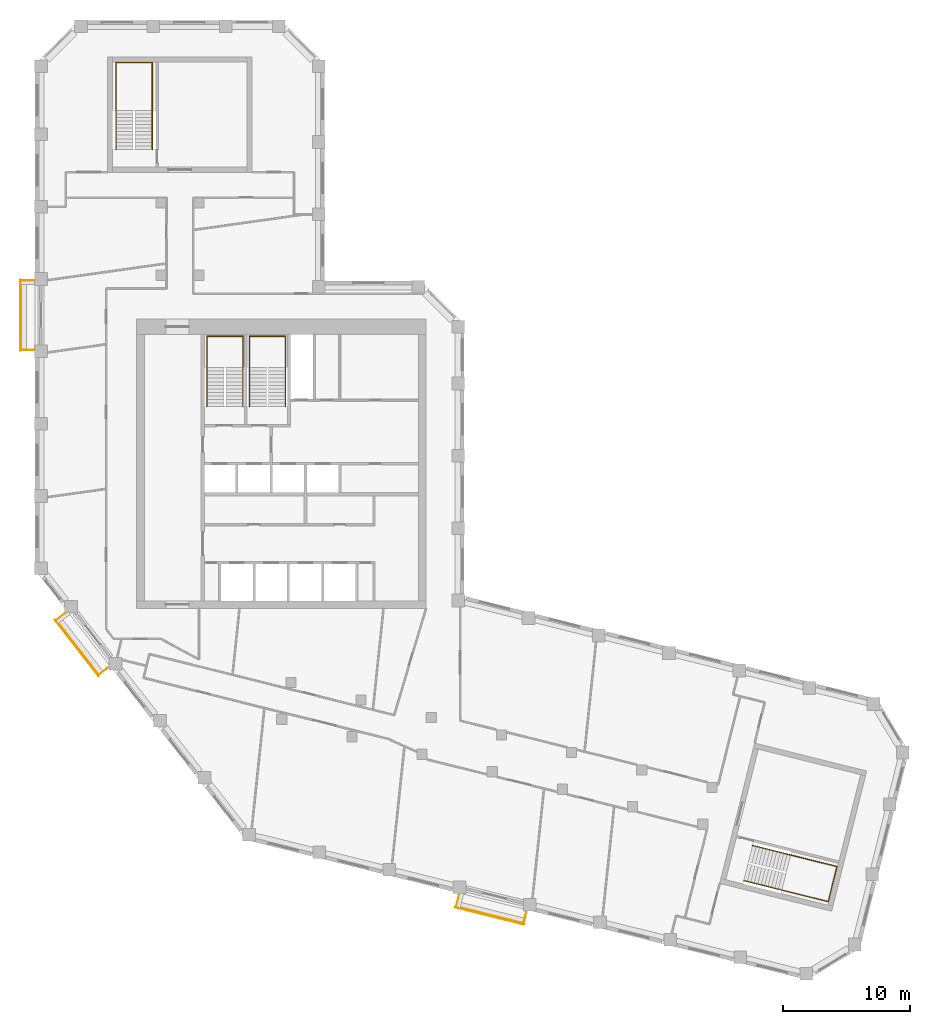
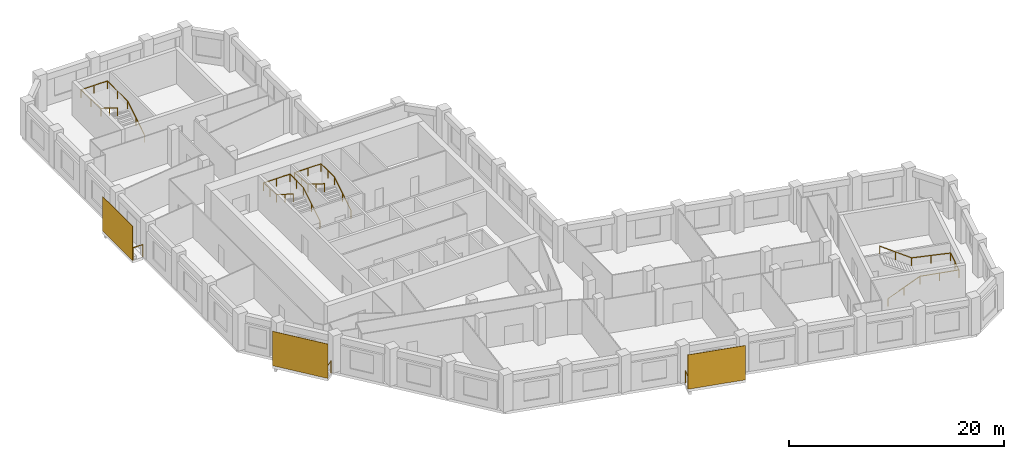
# One storey, part 9 of 9: 7 railings, 3 shading devices.
"""IFC4 building model written with IfcOpenShell, lengths in metres."""

from ifc_helpers import new_model, si_unit, direction, frame, origin, origin_2d, place, context, subcontext, project, spatial, rectangle, circle, extrude, material, layer, layer_set, type_object, element, save


model = new_model("IFC4")

# Units and contexts
model_context = context("Model", 3, precision=1e-05, world=origin(), true_north=direction((0.0, 1.0)))
body_context = subcontext(model_context, "Body", "Model", "MODEL_VIEW")
ifc_project = project(units=[si_unit("LENGTHUNIT", "METRE"), si_unit("AREAUNIT", "SQUARE_METRE"), si_unit("VOLUMEUNIT", "CUBIC_METRE"), si_unit("PLANEANGLEUNIT", "RADIAN"), si_unit("MASSUNIT", "GRAM", prefix="KILO")], contexts=[model_context])

# Site, building, storey
site_placement = place(None, origin())
site = spatial("IfcSite", under=ifc_project, at=site_placement, CompositionType="ELEMENT")
building_placement = place(site_placement, origin())
building = spatial("IfcBuilding", under=site, at=building_placement, Name="Meshkara Civic Tower", CompositionType="ELEMENT")
storey_placement = place(building_placement, frame((0.0, 0.0, 319.199951171875)))
storey = spatial("IfcBuildingStorey", under=building, at=storey_placement, Name="L73", CompositionType="ELEMENT", Elevation=319.199951171875)

# Railings
ifc_material_1 = material(Name="Steel S355", Category="steel")
railing_type_1 = type_object("IfcRailingType", Name="BALUSTRADE GUARD 1400", PredefinedType="BALUSTRADE", material=ifc_material_1)
railing_1_placement = place(storey_placement, frame((-0.050048828125, 39.93505859375, 0.0)))
element("IfcRailing", 1, at=railing_1_placement, inside=storey, type_object=railing_type_1, Name="Balcony guard", PredefinedType="BALUSTRADE", context=body_context, shape_type="SweptSolid", body=[
    extrude(circle(Radius=0.02392578125, at=origin_2d()), frame((0.0, 0.0, 1.3759765625), z_axis=(-1.0, 0.0, 0.0), x_axis=(0.0, -1.0, 0.0)), (0.0, 0.0, 1.0), 1.06005859375),
    extrude(circle(Radius=0.02392578125, at=origin_2d()), frame((-1.06005859375, 0.0, 1.3759765625), z_axis=(0.0, -1.0, 0.0), x_axis=(1.0, 0.0, 0.0)), (0.0, 0.0, 1.0), 5.4599609375),
    extrude(circle(Radius=0.02392578125, at=origin_2d()), frame((-1.06005859375, -5.4599609375, 1.3759765625), z_axis=(1.0, 0.0, 0.0), x_axis=(0.0, 1.0, 0.0)), (0.0, 0.0, 1.0), 1.06005859375),
    extrude(circle(Radius=0.02099609375, at=origin_2d()), origin(), (0.0, 0.0, 1.0), 1.351806640625),
    extrude(circle(Radius=0.02099609375, at=origin_2d()), frame((-1.06005859375, 0.0, 0.0)), (0.0, 0.0, 1.0), 1.351806640625),
    extrude(circle(Radius=0.02099609375, at=origin_2d()), frame((-1.06005859375, -1.092041015625, 0.0)), (0.0, 0.0, 1.0), 1.351806640625),
    extrude(circle(Radius=0.02099609375, at=origin_2d()), frame((-1.06005859375, -2.18408203125, 0.0)), (0.0, 0.0, 1.0), 1.351806640625),
    extrude(circle(Radius=0.02099609375, at=origin_2d()), frame((-1.06005859375, -3.27587890625, 0.0)), (0.0, 0.0, 1.0), 1.351806640625),
    extrude(circle(Radius=0.02099609375, at=origin_2d()), frame((-1.06005859375, -4.367919921875, 0.0)), (0.0, 0.0, 1.0), 1.351806640625),
    extrude(circle(Radius=0.02099609375, at=origin_2d()), frame((-1.06005859375, -5.4599609375, 0.0)), (0.0, 0.0, 1.0), 1.351806640625),
    extrude(circle(Radius=0.02099609375, at=origin_2d()), frame((0.0, -5.4599609375, 0.0)), (0.0, 0.0, 1.0), 1.351806640625),
])
railing_2_placement = place(storey_placement, frame((2.3349609375, 13.701904296875, 0.0)))
element("IfcRailing", 2, at=railing_2_placement, inside=storey, type_object=railing_type_1, Name="Balcony guard", PredefinedType="BALUSTRADE", context=body_context, shape_type="SweptSolid", body=[
    extrude(circle(Radius=0.02392578125, at=origin_2d()), frame((0.0, 0.0, 1.3759765625), z_axis=(-0.788201277662, -0.615417537849, 0.0), x_axis=(0.615417537849, -0.788201277662, 0.0)), (0.0, 0.0, 1.0), 0.857666015625),
    extrude(circle(Radius=0.02392578125, at=origin_2d()), frame((-0.676025390625, -0.52783203125, 1.3759765625), z_axis=(0.615573755741, -0.788079279795, 0.0), x_axis=(0.788079279795, 0.615573755741, 0.0)), (0.0, 0.0, 1.0), 5.460205078125),
    extrude(circle(Radius=0.02392578125, at=origin_2d()), frame((2.68505859375, -4.830810546875, 1.3759765625), z_axis=(0.787649039858, 0.616124167689, 0.0), x_axis=(-0.616124167689, 0.787649039858, 0.0)), (0.0, 0.0, 1.0), 0.8583984375),
    extrude(circle(Radius=0.02099609375, at=origin_2d()), origin(), (0.0, 0.0, 1.0), 1.351806640625),
    extrude(circle(Radius=0.02099609375, at=origin_2d()), frame((-0.676025390625, -0.52783203125, 0.0)), (0.0, 0.0, 1.0), 1.351806640625),
    extrude(circle(Radius=0.02099609375, at=origin_2d()), frame((-0.00390625, -1.388427734375, 0.0)), (0.0, 0.0, 1.0), 1.351806640625),
    extrude(circle(Radius=0.02099609375, at=origin_2d()), frame((0.66845703125, -2.2490234375, 0.0)), (0.0, 0.0, 1.0), 1.351806640625),
    extrude(circle(Radius=0.02099609375, at=origin_2d()), frame((1.340576171875, -3.109619140625, 0.0)), (0.0, 0.0, 1.0), 1.351806640625),
    extrude(circle(Radius=0.02099609375, at=origin_2d()), frame((2.012939453125, -3.97021484375, 0.0)), (0.0, 0.0, 1.0), 1.351806640625),
    extrude(circle(Radius=0.02099609375, at=origin_2d()), frame((2.68505859375, -4.830810546875, 0.0)), (0.0, 0.0, 1.0), 1.351806640625),
    extrude(circle(Radius=0.02099609375, at=origin_2d()), frame((3.361083984375, -4.302001953125, 0.0)), (0.0, 0.0, 1.0), 1.351806640625),
])
railing_3_placement = place(storey_placement, frame((33.4130859375, -8.491943359375, 0.0)))
element("IfcRailing", 3, at=railing_3_placement, inside=storey, type_object=railing_type_1, Name="Balcony guard", PredefinedType="BALUSTRADE", context=body_context, shape_type="SweptSolid", body=[
    extrude(circle(Radius=0.02392578125, at=origin_2d()), frame((0.0, 0.0, 1.3759765625), z_axis=(-0.242475378497, -0.970157559793, 0.0), x_axis=(0.970157559793, -0.242475378497, 0.0)), (0.0, 0.0, 1.0), 0.95361328125),
    extrude(circle(Radius=0.02392578125, at=origin_2d()), frame((-0.231201171875, -0.925048828125, 1.3759765625), z_axis=(0.970292231073, -0.24193591366, 0.0), x_axis=(0.24193591366, 0.970292231073, 0.0)), (0.0, 0.0, 1.0), 5.460205078125),
    extrude(circle(Radius=0.02392578125, at=origin_2d()), frame((5.06689453125, -2.24609375, 1.3759765625), z_axis=(0.242234364289, 0.970217765637, 0.0), x_axis=(-0.970217765637, 0.242234364289, 0.0)), (0.0, 0.0, 1.0), 0.953369140625),
    extrude(circle(Radius=0.02099609375, at=origin_2d()), origin(), (0.0, 0.0, 1.0), 1.351806640625),
    extrude(circle(Radius=0.02099609375, at=origin_2d()), frame((-0.231201171875, -0.925048828125, 0.0)), (0.0, 0.0, 1.0), 1.351806640625),
    extrude(circle(Radius=0.02099609375, at=origin_2d()), frame((0.828369140625, -1.189208984375, 0.0)), (0.0, 0.0, 1.0), 1.351806640625),
    extrude(circle(Radius=0.02099609375, at=origin_2d()), frame((1.887939453125, -1.453369140625, 0.0)), (0.0, 0.0, 1.0), 1.351806640625),
    extrude(circle(Radius=0.02099609375, at=origin_2d()), frame((2.94775390625, -1.7177734375, 0.0)), (0.0, 0.0, 1.0), 1.351806640625),
    extrude(circle(Radius=0.02099609375, at=origin_2d()), frame((4.00732421875, -1.98193359375, 0.0)), (0.0, 0.0, 1.0), 1.351806640625),
    extrude(circle(Radius=0.02099609375, at=origin_2d()), frame((5.06689453125, -2.24609375, 0.0)), (0.0, 0.0, 1.0), 1.351806640625),
    extrude(circle(Radius=0.02099609375, at=origin_2d()), frame((5.2978515625, -1.321044921875, 0.0)), (0.0, 0.0, 1.0), 1.351806640625),
])

# Shading devices
ifc_material_2 = material(Name="Perforated bronze anodised aluminium sheet", Category="aluminium")
ifc_layer = layer(ifc_material_2, 0.0400390625)
ifc_layer_set = layer_set([ifc_layer], Name="PERFORATED BRONZE SCREEN")
shading_device_type = type_object("IfcShadingDeviceType", Name="PERFORATED BRONZE SCREEN", PredefinedType="USERDEFINED", material=ifc_layer_set)
for number, where, z_axis, x_axis, name in (
    (4, (-1.179931640625, 37.205078125, 0.0), (0.0, 0.0, 1.0), (0.0, -1.0, 0.0), "Balcony screen"),
    (5, (3.283935546875, 10.97998046875, 0.0), (0.0, 0.0, 1.0), (0.615661475326, -0.788010753607, 0.0), "Balcony screen"),
    (6, (35.81396484375, -10.14599609375, 0.0), (0.0, 0.0, 1.0), (0.970295726276, -0.2419218956, 0.0), "Balcony screen"),
):
    element("IfcShadingDevice", number, at=place(storey_placement, frame(where, z_axis=z_axis, x_axis=x_axis)), inside=storey, type_object=shading_device_type, Name=name, ObjectType="SCREEN", PredefinedType="USERDEFINED", context=body_context, shape_type="SweptSolid", body=[
        extrude(rectangle(XDim=5.580078125, YDim=0.0400390625, at=origin_2d()), origin(), (0.0, 0.0, 1.0), 3.89990234375),
    ])

# Railings
ifc_material_3 = material(Name="Steel handrail", Category="steel")
railing_type_2 = type_object("IfcRailingType", Name="Stair handrail 900", PredefinedType="HANDRAIL", material=ifc_material_3)
railing_4_placement = place(storey_placement, frame((16.375, 30.0, 0.175048828125)))
element("IfcRailing", 7, at=railing_4_placement, inside=storey, type_object=railing_type_2, Name="L73 ST1 stair handrail 1", PredefinedType="HANDRAIL", context=body_context, shape_type="SweptSolid", body=[
    extrude(circle(Radius=0.02392578125, at=origin_2d()), frame((0.0, 0.0, 0.8759765625), z_axis=(0.0, 0.847998304005, 0.529998940003), x_axis=(-1.0, 0.0, 0.0)), (0.0, 0.0, 1.0), 3.632080078125),
    extrude(circle(Radius=0.02392578125, at=origin_2d()), frame((0.0, 3.080078125, 2.80078125), z_axis=(0.0, 1.0, 0.0), x_axis=(-1.0, 0.0, 0.0)), (0.0, 0.0, 1.0), 2.469970703125),
    extrude(circle(Radius=0.02392578125, at=origin_2d()), frame((0.0, 5.550048828125, 2.80078125), z_axis=(-1.0, 0.0, 0.0), x_axis=(0.0, -1.0, 0.0)), (0.0, 0.0, 1.0), 2.85009765625),
    extrude(circle(Radius=0.02392578125, at=origin_2d()), frame((-2.85009765625, 5.550048828125, 2.80078125), z_axis=(0.0, -0.997498084828, 0.070693498747), x_axis=(1.0, 0.0, 0.0)), (0.0, 0.0, 1.0), 2.47607421875),
    extrude(circle(Radius=0.02392578125, at=origin_2d()), frame((-2.85009765625, 3.080078125, 2.97607421875), z_axis=(0.0, -0.848028513186, 0.529950602248), x_axis=(1.0, 0.0, 0.0)), (0.0, 0.0, 1.0), 3.632080078125),
    extrude(circle(Radius=0.02099609375, at=origin_2d()), origin(), (0.0, 0.0, 1.0), 0.851806640625),
    extrude(circle(Radius=0.02099609375, at=origin_2d()), frame((0.0, 1.5400390625, 0.96240234375)), (0.0, 0.0, 1.0), 0.851806640625),
    extrude(circle(Radius=0.02099609375, at=origin_2d()), frame((0.0, 3.080078125, 1.925048828125)), (0.0, 0.0, 1.0), 0.851806640625),
    extrude(circle(Radius=0.02099609375, at=origin_2d()), frame((0.0, 4.31494140625, 1.925048828125)), (0.0, 0.0, 1.0), 0.851806640625),
    extrude(circle(Radius=0.02099609375, at=origin_2d()), frame((0.0, 5.550048828125, 1.925048828125)), (0.0, 0.0, 1.0), 0.851806640625),
    extrude(circle(Radius=0.02099609375, at=origin_2d()), frame((-1.425048828125, 5.550048828125, 1.925048828125)), (0.0, 0.0, 1.0), 0.851806640625),
    extrude(circle(Radius=0.02099609375, at=origin_2d()), frame((-2.85009765625, 5.550048828125, 1.925048828125)), (0.0, 0.0, 1.0), 0.851806640625),
    extrude(circle(Radius=0.02099609375, at=origin_2d()), frame((-2.85009765625, 4.31494140625, 2.0126953125)), (0.0, 0.0, 1.0), 0.851806640625),
    extrude(circle(Radius=0.02099609375, at=origin_2d()), frame((-2.85009765625, 3.080078125, 2.10009765625)), (0.0, 0.0, 1.0), 0.851806640625),
    extrude(circle(Radius=0.02099609375, at=origin_2d()), frame((-2.85009765625, 1.5400390625, 3.0625)), (0.0, 0.0, 1.0), 0.851806640625),
    extrude(circle(Radius=0.02099609375, at=origin_2d()), frame((-2.85009765625, 0.0, 4.02490234375)), (0.0, 0.0, 1.0), 0.851806640625),
])
railing_5_placement = place(storey_placement, frame((19.72509765625, 30.0, 0.175048828125)))
element("IfcRailing", 8, at=railing_5_placement, inside=storey, type_object=railing_type_2, Name="L73 ST2 stair handrail 1", PredefinedType="HANDRAIL", context=body_context, shape_type="SweptSolid", body=[
    extrude(circle(Radius=0.02392578125, at=origin_2d()), frame((0.0, 0.0, 0.8759765625), z_axis=(0.0, 0.847998304005, 0.529998940003), x_axis=(-1.0, 0.0, 0.0)), (0.0, 0.0, 1.0), 3.632080078125),
    extrude(circle(Radius=0.02392578125, at=origin_2d()), frame((0.0, 3.080078125, 2.80078125), z_axis=(0.0, 1.0, 0.0), x_axis=(-1.0, 0.0, 0.0)), (0.0, 0.0, 1.0), 2.469970703125),
    extrude(circle(Radius=0.02392578125, at=origin_2d()), frame((0.0, 5.550048828125, 2.80078125), z_axis=(-1.0, 0.0, 0.0), x_axis=(0.0, -1.0, 0.0)), (0.0, 0.0, 1.0), 2.85009765625),
    extrude(circle(Radius=0.02392578125, at=origin_2d()), frame((-2.85009765625, 5.550048828125, 2.80078125), z_axis=(0.0, -0.997498084828, 0.070693498747), x_axis=(1.0, 0.0, 0.0)), (0.0, 0.0, 1.0), 2.47607421875),
    extrude(circle(Radius=0.02392578125, at=origin_2d()), frame((-2.85009765625, 3.080078125, 2.97607421875), z_axis=(0.0, -0.848028513186, 0.529950602248), x_axis=(1.0, 0.0, 0.0)), (0.0, 0.0, 1.0), 3.632080078125),
    extrude(circle(Radius=0.02099609375, at=origin_2d()), origin(), (0.0, 0.0, 1.0), 0.851806640625),
    extrude(circle(Radius=0.02099609375, at=origin_2d()), frame((0.0, 1.5400390625, 0.96240234375)), (0.0, 0.0, 1.0), 0.851806640625),
    extrude(circle(Radius=0.02099609375, at=origin_2d()), frame((0.0, 3.080078125, 1.925048828125)), (0.0, 0.0, 1.0), 0.851806640625),
    extrude(circle(Radius=0.02099609375, at=origin_2d()), frame((0.0, 4.31494140625, 1.925048828125)), (0.0, 0.0, 1.0), 0.851806640625),
    extrude(circle(Radius=0.02099609375, at=origin_2d()), frame((0.0, 5.550048828125, 1.925048828125)), (0.0, 0.0, 1.0), 0.851806640625),
    extrude(circle(Radius=0.02099609375, at=origin_2d()), frame((-1.425048828125, 5.550048828125, 1.925048828125)), (0.0, 0.0, 1.0), 0.851806640625),
    extrude(circle(Radius=0.02099609375, at=origin_2d()), frame((-2.85009765625, 5.550048828125, 1.925048828125)), (0.0, 0.0, 1.0), 0.851806640625),
    extrude(circle(Radius=0.02099609375, at=origin_2d()), frame((-2.85009765625, 4.31494140625, 2.0126953125)), (0.0, 0.0, 1.0), 0.851806640625),
    extrude(circle(Radius=0.02099609375, at=origin_2d()), frame((-2.85009765625, 3.080078125, 2.10009765625)), (0.0, 0.0, 1.0), 0.851806640625),
    extrude(circle(Radius=0.02099609375, at=origin_2d()), frame((-2.85009765625, 1.5400390625, 3.0625)), (0.0, 0.0, 1.0), 0.851806640625),
    extrude(circle(Radius=0.02099609375, at=origin_2d()), frame((-2.85009765625, 0.0, 4.02490234375)), (0.0, 0.0, 1.0), 0.851806640625),
])
railing_6_placement = place(storey_placement, frame((9.22509765625, 50.27001953125, 0.175048828125)))
element("IfcRailing", 9, at=railing_6_placement, inside=storey, type_object=railing_type_2, Name="L73 ESA5 stair handrail 1", PredefinedType="HANDRAIL", context=body_context, shape_type="SweptSolid", body=[
    extrude(circle(Radius=0.02392578125, at=origin_2d()), frame((0.0, 0.0, 0.8759765625), z_axis=(0.0, 0.847998304005, 0.529998940003), x_axis=(-1.0, 0.0, 0.0)), (0.0, 0.0, 1.0), 3.632080078125),
    extrude(circle(Radius=0.02392578125, at=origin_2d()), frame((0.0, 3.080078125, 2.80078125), z_axis=(0.0, 1.0, 0.0), x_axis=(-1.0, 0.0, 0.0)), (0.0, 0.0, 1.0), 3.77001953125),
    extrude(circle(Radius=0.02392578125, at=origin_2d()), frame((0.0, 6.85009765625, 2.80078125), z_axis=(-1.0, 0.0, 0.0), x_axis=(0.0, -1.0, 0.0)), (0.0, 0.0, 1.0), 2.85009765625),
    extrude(circle(Radius=0.02392578125, at=origin_2d()), frame((-2.85009765625, 6.85009765625, 2.80078125), z_axis=(0.0, -0.9989237834, 0.046381838667), x_axis=(1.0, 0.0, 0.0)), (0.0, 0.0, 1.0), 3.774169921875),
    extrude(circle(Radius=0.02392578125, at=origin_2d()), frame((-2.85009765625, 3.080078125, 2.97607421875), z_axis=(0.0, -0.848028513186, 0.529950602248), x_axis=(1.0, 0.0, 0.0)), (0.0, 0.0, 1.0), 3.632080078125),
    extrude(circle(Radius=0.02099609375, at=origin_2d()), origin(), (0.0, 0.0, 1.0), 0.851806640625),
    extrude(circle(Radius=0.02099609375, at=origin_2d()), frame((0.0, 1.5400390625, 0.96240234375)), (0.0, 0.0, 1.0), 0.851806640625),
    extrude(circle(Radius=0.02099609375, at=origin_2d()), frame((0.0, 3.080078125, 1.925048828125)), (0.0, 0.0, 1.0), 0.851806640625),
    extrude(circle(Radius=0.02099609375, at=origin_2d()), frame((0.0, 4.965087890625, 1.925048828125)), (0.0, 0.0, 1.0), 0.851806640625),
    extrude(circle(Radius=0.02099609375, at=origin_2d()), frame((0.0, 6.85009765625, 1.925048828125)), (0.0, 0.0, 1.0), 0.851806640625),
    extrude(circle(Radius=0.02099609375, at=origin_2d()), frame((-1.425048828125, 6.85009765625, 1.925048828125)), (0.0, 0.0, 1.0), 0.851806640625),
    extrude(circle(Radius=0.02099609375, at=origin_2d()), frame((-2.85009765625, 6.85009765625, 1.925048828125)), (0.0, 0.0, 1.0), 0.851806640625),
    extrude(circle(Radius=0.02099609375, at=origin_2d()), frame((-2.85009765625, 4.965087890625, 2.0126953125)), (0.0, 0.0, 1.0), 0.851806640625),
    extrude(circle(Radius=0.02099609375, at=origin_2d()), frame((-2.85009765625, 3.080078125, 2.10009765625)), (0.0, 0.0, 1.0), 0.851806640625),
    extrude(circle(Radius=0.02099609375, at=origin_2d()), frame((-2.85009765625, 1.5400390625, 3.0625)), (0.0, 0.0, 1.0), 0.851806640625),
    extrude(circle(Radius=0.02099609375, at=origin_2d()), frame((-2.85009765625, 0.0, 4.02490234375)), (0.0, 0.0, 1.0), 0.851806640625),
])
railing_7_placement = place(storey_placement, frame((55.849365234375, -7.3544921875, 0.175048828125)))
element("IfcRailing", 10, at=railing_7_placement, inside=storey, type_object=railing_type_2, Name="L73 ESB5 stair handrail 1", PredefinedType="HANDRAIL", context=body_context, shape_type="SweptSolid", body=[
    extrude(circle(Radius=0.02392578125, at=origin_2d()), frame((0.0, 0.0, 0.8759765625), z_axis=(0.822781968105, -0.205275396666, 0.529992306062), x_axis=(0.242069343812, 0.970258951408, 0.0)), (0.0, 0.0, 1.0), 3.63232421875),
    extrude(circle(Radius=0.02392578125, at=origin_2d()), frame((2.988525390625, -0.74560546875, 2.80078125), z_axis=(0.970256677427, -0.242078458165, 0.0), x_axis=(0.242078458165, 0.970256677427, 0.0)), (0.0, 0.0, 1.0), 3.769775390625),
    extrude(circle(Radius=0.02392578125, at=origin_2d()), frame((6.646240234375, -1.658203125, 2.80078125), z_axis=(0.242072031574, 0.970258280835, 0.0), x_axis=(-0.970258280835, 0.242072031574, 0.0)), (0.0, 0.0, 1.0), 2.85009765625),
    extrude(circle(Radius=0.02392578125, at=origin_2d()), frame((7.336181640625, 1.107177734375, 2.80078125), z_axis=(-0.969216294885, 0.241802743795, 0.046381104147), x_axis=(-0.242063248025, -0.970260472221, 0.0)), (0.0, 0.0, 1.0), 3.774169921875),
    extrude(circle(Radius=0.02392578125, at=origin_2d()), frame((3.67822265625, 2.019775390625, 2.97607421875), z_axis=(-0.822800919371, 0.205229673761, 0.529980592183), x_axis=(-0.242013336109, -0.97027292302, 0.0)), (0.0, 0.0, 1.0), 3.6318359375),
    extrude(circle(Radius=0.02099609375, at=origin_2d()), origin(), (0.0, 0.0, 1.0), 0.851806640625),
    extrude(circle(Radius=0.02099609375, at=origin_2d()), frame((1.494140625, -0.372802734375, 0.96240234375)), (0.0, 0.0, 1.0), 0.851806640625),
    extrude(circle(Radius=0.02099609375, at=origin_2d()), frame((2.988525390625, -0.74560546875, 1.925048828125)), (0.0, 0.0, 1.0), 0.851806640625),
    extrude(circle(Radius=0.02099609375, at=origin_2d()), frame((4.8173828125, -1.201904296875, 1.925048828125)), (0.0, 0.0, 1.0), 0.851806640625),
    extrude(circle(Radius=0.02099609375, at=origin_2d()), frame((6.646240234375, -1.658203125, 1.925048828125)), (0.0, 0.0, 1.0), 0.851806640625),
    extrude(circle(Radius=0.02099609375, at=origin_2d()), frame((6.9912109375, -0.275390625, 1.925048828125)), (0.0, 0.0, 1.0), 0.851806640625),
    extrude(circle(Radius=0.02099609375, at=origin_2d()), frame((7.336181640625, 1.107177734375, 1.925048828125)), (0.0, 0.0, 1.0), 0.851806640625),
    extrude(circle(Radius=0.02099609375, at=origin_2d()), frame((5.50732421875, 1.5634765625, 2.0126953125)), (0.0, 0.0, 1.0), 0.851806640625),
    extrude(circle(Radius=0.02099609375, at=origin_2d()), frame((3.67822265625, 2.019775390625, 2.10009765625)), (0.0, 0.0, 1.0), 0.851806640625),
    extrude(circle(Radius=0.02099609375, at=origin_2d()), frame((2.18408203125, 2.392578125, 3.0625)), (0.0, 0.0, 1.0), 0.851806640625),
    extrude(circle(Radius=0.02099609375, at=origin_2d()), frame((0.68994140625, 2.76513671875, 4.02490234375)), (0.0, 0.0, 1.0), 0.851806640625),
])

save(model, "model.ifc")
